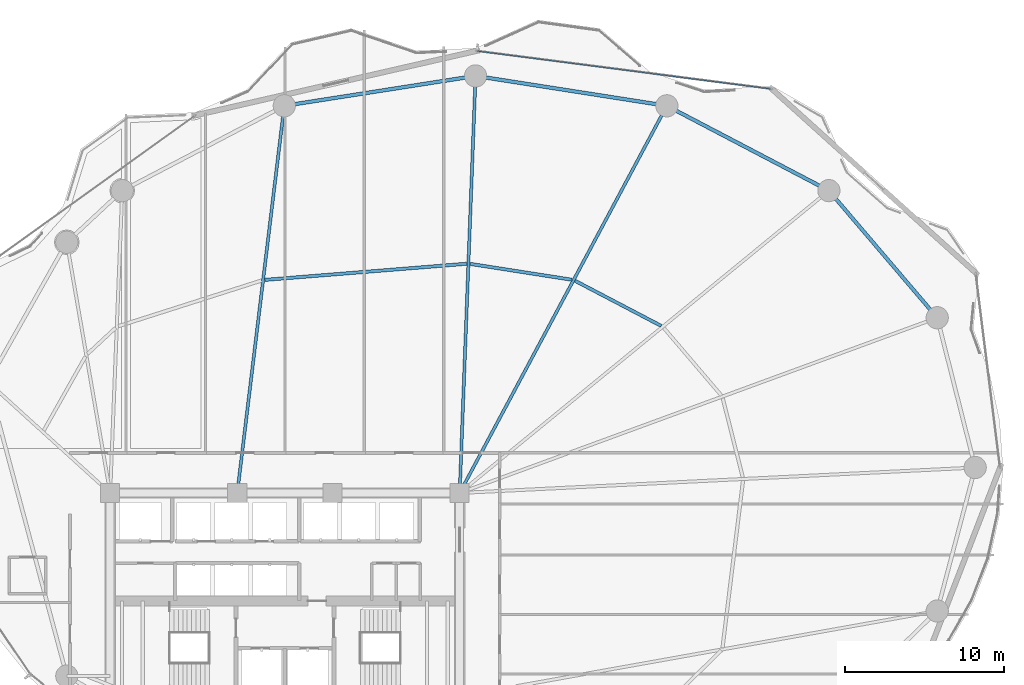
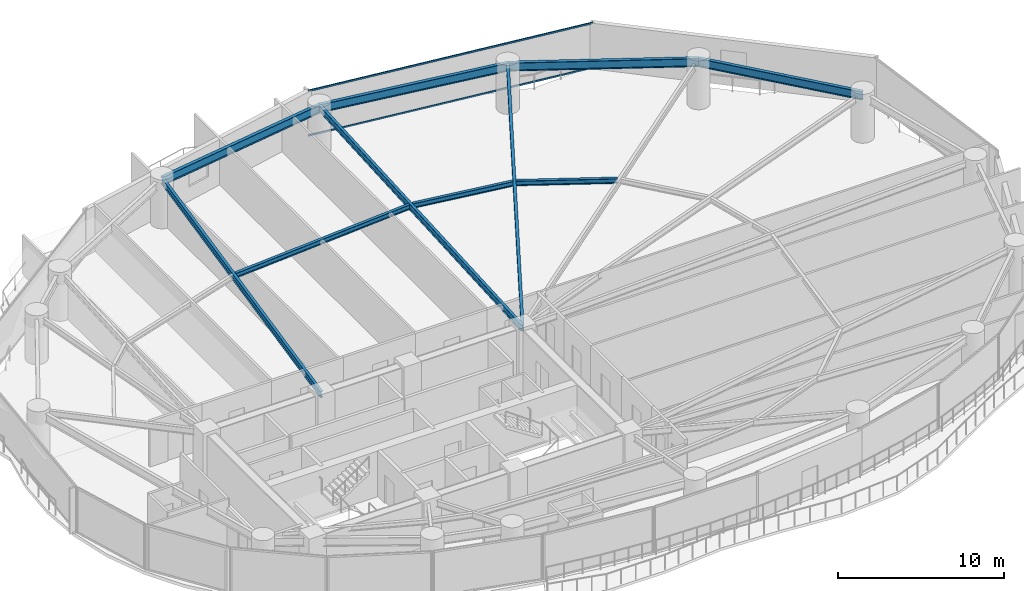
# One storey, part 20 of 30: 10 beams, 2 members, 1 element without a shape of its own.
"""IFC4 building model written with IfcOpenShell, lengths in metres."""

from ifc_helpers import new_model, si_unit, direction, frame, origin, origin_2d, place, context, subcontext, project, spatial, hollow_rectangle, i_section, extrude, material, layer, layer_set, material_profile, profile_set, type_object, element, aggregate, save


model = new_model("IFC4")

# Units and contexts
model_context = context("Model", 3, precision=1e-05, world=origin(), true_north=direction((0.0, 1.0)))
body_context = subcontext(model_context, "Body", "Model", "MODEL_VIEW")
ifc_project = project(units=[si_unit("LENGTHUNIT", "METRE"), si_unit("AREAUNIT", "SQUARE_METRE"), si_unit("VOLUMEUNIT", "CUBIC_METRE"), si_unit("PLANEANGLEUNIT", "RADIAN"), si_unit("MASSUNIT", "GRAM", prefix="KILO")], contexts=[model_context])

# Site, building, storey
site_placement = place(None, origin())
site = spatial("IfcSite", under=ifc_project, at=site_placement, CompositionType="ELEMENT")
building_placement = place(site_placement, origin())
building = spatial("IfcBuilding", under=site, at=building_placement, Name="Kazevale Care Tower and Concert Hall", CompositionType="ELEMENT")
storey_placement = place(building_placement, frame((0.0, 0.0, 74.39990234375)))
storey = spatial("IfcBuildingStorey", under=building, at=storey_placement, Name="L19", CompositionType="ELEMENT", Elevation=74.39990234375)

# Curtain wall, members
ifc_material_1 = material(Name="Aluminium 6063-T6 and Low-E Glass", Category="aluminium")
ifc_layer = layer(ifc_material_1, 0.179931640625)
ifc_layer_set = layer_set([ifc_layer], Name="Aluminium 6063-T6 and Low-E Glass")
curtain_wall_type = type_object("IfcCurtainWallType", Name="Convex Recessed Sunroom Curtain Wall CW-3", PredefinedType="NOTDEFINED", material=ifc_layer_set)
curtain_wall_placement = place(storey_placement, origin())
curtain_wall = element("IfcCurtainWall", 1, at=curtain_wall_placement, inside=storey, type_object=curtain_wall_type, Name="cw:L19:f16", PredefinedType="NOTDEFINED")
ifc_material_2 = material(Name="Aluminium 6063-T6", Category="aluminium")
ifc_material_profile_1 = material_profile(ifc_material_2, hollow_rectangle(XDim=0.074951171875, YDim=0.1201171875, WallThickness=0.00390625, at=origin_2d()), Name="ALU75x120x4")
ifc_profile_set_1 = profile_set([ifc_material_profile_1], Name="Aluminium 6063-T6")
member_type = type_object("IfcMemberType", Name="CW-3 Transom ALU75x120x4", PredefinedType="USERDEFINED", material=ifc_profile_set_1)
member_1_placement = place(storey_placement, frame((45.116455078125, 64.21240234375, 0.03759765625), z_axis=(0.991790531379, -0.12787314756, 0.0), x_axis=(0.12787314756, 0.991790531379, 0.0)))
member_1 = element("IfcMember", 2, at=member_1_placement, type_object=member_type, Name="CW-3 transom 1.1", ObjectType="TRANSOM", PredefinedType="USERDEFINED", context=body_context, shape_type="SweptSolid", body=[
    extrude(hollow_rectangle(XDim=0.074951171875, YDim=0.1201171875, WallThickness=0.00390625, at=origin_2d()), origin(), (0.0, 0.0, 1.0), 18.618896484375),
])
member_2_placement = place(storey_placement, frame((45.116455078125, 64.21240234375, 3.322509765625), z_axis=(0.991790531379, -0.12787314756, 0.0), x_axis=(0.12787314756, 0.991790531379, 0.0)))
member_2 = element("IfcMember", 3, at=member_2_placement, type_object=member_type, Name="CW-3 transom 1.2", ObjectType="TRANSOM", PredefinedType="USERDEFINED", context=body_context, shape_type="SweptSolid", body=[
    extrude(hollow_rectangle(XDim=0.074951171875, YDim=0.1201171875, WallThickness=0.00390625, at=origin_2d()), origin(), (0.0, 0.0, 1.0), 18.618896484375),
])
aggregate(curtain_wall, [member_1, member_2])

# Beams
ifc_material_3 = material(Name="Steel ASTM A572 Gr 50", Category="steel")
ifc_material_profile_2 = material_profile(ifc_material_3, i_section(OverallWidth=0.19091796875, OverallDepth=0.4599609375, WebThickness=0.010009765625, FlangeThickness=0.01611328125, at=origin_2d()), Name="W460x82")
ifc_profile_set_2 = profile_set([ifc_material_profile_2], Name="Steel ASTM A572 Gr 50")
beam_type_1 = type_object("IfcBeamType", Name="Radial Floor Beam W460x82", PredefinedType="BEAM", material=ifc_profile_set_2)
beam_1_placement = place(storey_placement, frame((44.0, 36.39990234375, 3.130126953125), z_axis=(0.471788966953, 0.88171150081, 0.0), x_axis=(-0.88171150081, 0.471788966953, 0.0)))
element("IfcBeam", 4, at=beam_1_placement, inside=storey, type_object=beam_type_1, Name="beam:L19:rad:04", PredefinedType="BEAM", context=body_context, shape_type="SweptSolid", body=[
    extrude(i_section(OverallWidth=0.19091796875, OverallDepth=0.4599609375, WebThickness=0.010009765625, FlangeThickness=0.01611328125, at=origin_2d()), origin(), (0.0, 0.0, 1.0), 27.6396484375),
])
beam_2_placement = place(storey_placement, frame((44.0, 36.39990234375, 3.130126953125), z_axis=(0.038067625343, 0.999275165258, 0.0), x_axis=(-0.999275165258, 0.038067625343, 0.0)))
element("IfcBeam", 5, at=beam_2_placement, inside=storey, type_object=beam_type_1, Name="beam:L19:rad:05", PredefinedType="BEAM", context=body_context, shape_type="SweptSolid", body=[
    extrude(i_section(OverallWidth=0.19091796875, OverallDepth=0.4599609375, WebThickness=0.010009765625, FlangeThickness=0.01611328125, at=origin_2d()), origin(), (0.0, 0.0, 1.0), 26.26904296875),
])
beam_3_placement = place(storey_placement, frame((30.0, 36.39990234375, 3.130126953125), z_axis=(0.120572526662, 0.9927045209, 0.0), x_axis=(-0.9927045209, 0.120572526662, 0.0)))
element("IfcBeam", 6, at=beam_3_placement, inside=storey, type_object=beam_type_1, Name="beam:L19:rad:06", PredefinedType="BEAM", context=body_context, shape_type="SweptSolid", body=[
    extrude(i_section(OverallWidth=0.19091796875, OverallDepth=0.4599609375, WebThickness=0.010009765625, FlangeThickness=0.01611328125, at=origin_2d()), origin(), (0.0, 0.0, 1.0), 24.54931640625),
])
ifc_material_profile_3 = material_profile(ifc_material_3, i_section(OverallWidth=0.22900390625, OverallDepth=0.612060546875, WebThickness=0.011962890625, FlangeThickness=0.01953125, at=origin_2d()), Name="W610x125")
ifc_profile_set_3 = profile_set([ifc_material_profile_3], Name="Steel ASTM A572 Gr 50")
beam_type_2 = type_object("IfcBeamType", Name="Ring Spandrel Beam W610x125", PredefinedType="SPANDREL", material=ifc_profile_set_3)
beam_4_placement = place(storey_placement, frame((74.06005859375, 47.429931640625, 3.05419921875), z_axis=(-0.648756004283, 0.760996482848, 0.0), x_axis=(-0.760996482848, -0.648756004283, 0.0)))
element("IfcBeam", 7, at=beam_4_placement, inside=storey, type_object=beam_type_2, Name="beam:L19:ring:02", PredefinedType="SPANDREL", context=body_context, shape_type="SweptSolid", body=[
    extrude(i_section(OverallWidth=0.22900390625, OverallDepth=0.612060546875, WebThickness=0.011962890625, FlangeThickness=0.01953125, at=origin_2d()), origin(), (0.0, 0.0, 1.0), 10.512451171875),
])
beam_5_placement = place(storey_placement, frame((67.239990234375, 55.429931640625, 3.05419921875), z_axis=(-0.885929466679, 0.463819986708, 0.0), x_axis=(-0.463819986708, -0.885929466679, 0.0)))
element("IfcBeam", 8, at=beam_5_placement, inside=storey, type_object=beam_type_2, Name="beam:L19:ring:03", PredefinedType="SPANDREL", context=body_context, shape_type="SweptSolid", body=[
    extrude(i_section(OverallWidth=0.22900390625, OverallDepth=0.612060546875, WebThickness=0.011962890625, FlangeThickness=0.01953125, at=origin_2d()), origin(), (0.0, 0.0, 1.0), 11.51318359375),
])
for number, where, z_axis, x_axis, name in (
    (9, (57.0400390625, 60.77001953125, 3.05419921875), (-0.988029216561, 0.154266870134, 0.0), (-0.154266870134, -0.988029216561, 0.0), "beam:L19:ring:04"),
    (10, (45.0, 62.64990234375, 3.05419921875), (-0.988029216561, -0.154266870134, 0.0), (0.154266870134, -0.988029216561, 0.0), "beam:L19:ring:05"),
):
    element("IfcBeam", number, at=place(storey_placement, frame(where, z_axis=z_axis, x_axis=x_axis)), inside=storey, type_object=beam_type_2, Name=name, PredefinedType="SPANDREL", context=body_context, shape_type="SweptSolid", body=[
        extrude(i_section(OverallWidth=0.22900390625, OverallDepth=0.612060546875, WebThickness=0.011962890625, FlangeThickness=0.01953125, at=origin_2d()), origin(), (0.0, 0.0, 1.0), 12.18603515625),
    ])
ifc_material_profile_4 = material_profile(ifc_material_3, i_section(OverallWidth=0.205078125, OverallDepth=0.35400390625, WebThickness=0.009521484375, FlangeThickness=0.016845703125, at=origin_2d()), Name="W360x79")
ifc_profile_set_4 = profile_set([ifc_material_profile_4], Name="Steel ASTM A572 Gr 50")
beam_type_3 = type_object("IfcBeamType", Name="Secondary Floor Joist W360x79", PredefinedType="JOIST", material=ifc_profile_set_4)
beam_6_placement = place(storey_placement, frame((56.68896484375, 46.9150390625, 3.18310546875), z_axis=(-0.885921274797, 0.463835633454, 0.0), x_axis=(-0.463835633454, -0.885921274797, 0.0)))
element("IfcBeam", 11, at=beam_6_placement, inside=storey, type_object=beam_type_3, Name="beam:L19:joist:03", PredefinedType="JOIST", context=body_context, shape_type="SweptSolid", body=[
    extrude(i_section(OverallWidth=0.205078125, OverallDepth=0.35400390625, WebThickness=0.009521484375, FlangeThickness=0.016845703125, at=origin_2d()), origin(), (0.0, 0.0, 1.0), 6.12255859375),
])
beam_7_placement = place(storey_placement, frame((51.068115234375, 49.820068359375, 3.18310546875), z_axis=(-0.988040697826, 0.154193318403, 0.0), x_axis=(-0.154193318403, -0.988040697826, 0.0)))
element("IfcBeam", 12, at=beam_7_placement, inside=storey, type_object=beam_type_3, Name="beam:L19:joist:04", PredefinedType="JOIST", context=body_context, shape_type="SweptSolid", body=[
    extrude(i_section(OverallWidth=0.205078125, OverallDepth=0.35400390625, WebThickness=0.009521484375, FlangeThickness=0.016845703125, at=origin_2d()), origin(), (0.0, 0.0, 1.0), 6.49169921875),
])
beam_8_placement = place(storey_placement, frame((44.445068359375, 50.8291015625, 3.18310546875), z_axis=(-0.996814548036, -0.079754353015, 0.0), x_axis=(0.079754353015, -0.996814548036, 0.0)))
element("IfcBeam", 13, at=beam_8_placement, inside=storey, type_object=beam_type_3, Name="beam:L19:joist:05", PredefinedType="JOIST", context=body_context, shape_type="SweptSolid", body=[
    extrude(i_section(OverallWidth=0.205078125, OverallDepth=0.35400390625, WebThickness=0.009521484375, FlangeThickness=0.016845703125, at=origin_2d()), origin(), (0.0, 0.0, 1.0), 12.752685546875),
])

save(model, "model.ifc")
